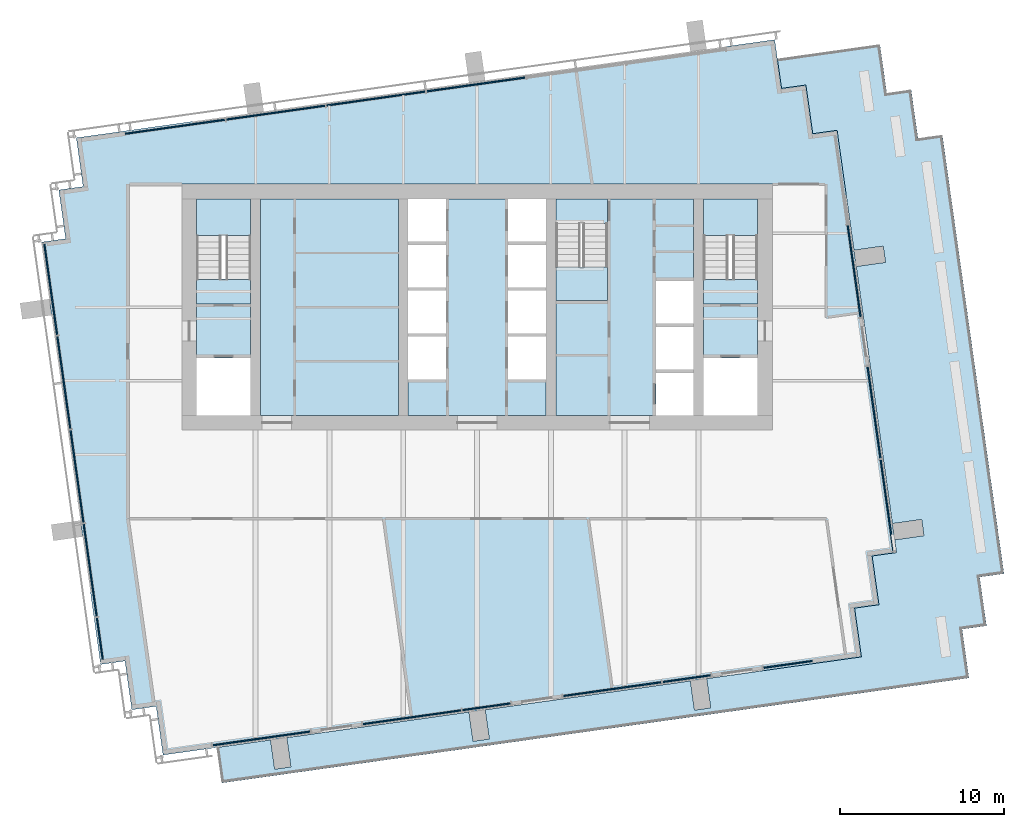
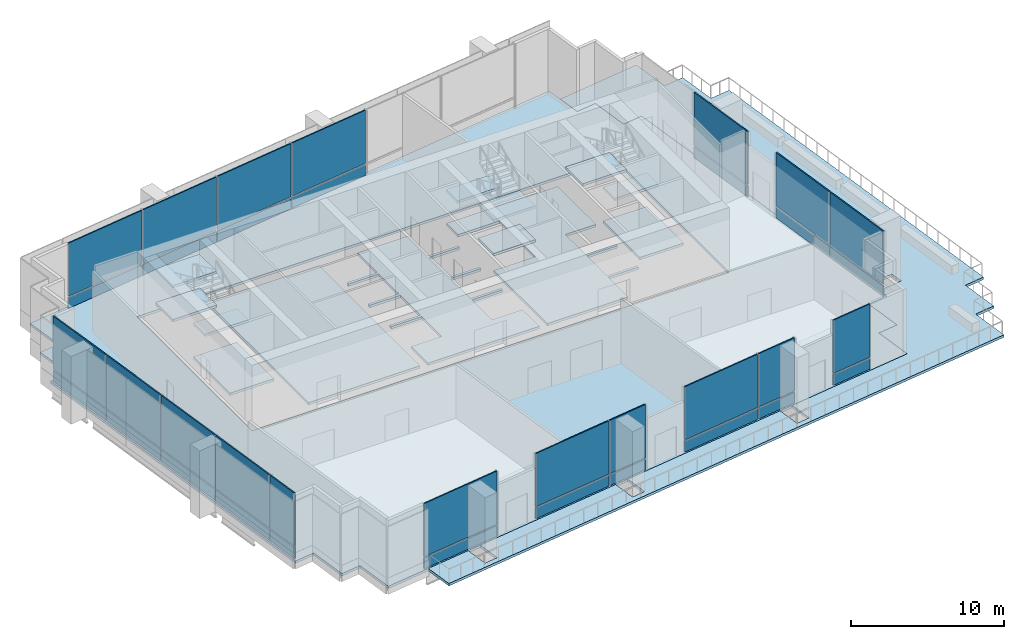
# One storey, part 5 of 14: 36 plates, 15 slabs, 11 elements without a shape of their own.
"""IFC4 building model written with IfcOpenShell, lengths in metres."""

from ifc_helpers import new_model, si_unit, direction, frame, origin, origin_2d, place, context, subcontext, project, spatial, polyline, rectangle, outline, extrude, material, layer, layer_set, type_object, element, aggregate, save


model = new_model("IFC4")

# Units and contexts
model_context = context("Model", 3, precision=1e-05, world=origin(), true_north=direction((0.0, 1.0)))
body_context = subcontext(model_context, "Body", "Model", "MODEL_VIEW")
ifc_project = project(units=[si_unit("LENGTHUNIT", "METRE"), si_unit("AREAUNIT", "SQUARE_METRE"), si_unit("VOLUMEUNIT", "CUBIC_METRE"), si_unit("PLANEANGLEUNIT", "RADIAN"), si_unit("MASSUNIT", "GRAM", prefix="KILO")], contexts=[model_context])

# Site, building, storey
site_placement = place(None, origin())
site = spatial("IfcSite", under=ifc_project, at=site_placement, CompositionType="ELEMENT")
building_placement = place(site_placement, origin())
building = spatial("IfcBuilding", under=site, at=building_placement, Name="Rattan Terrace Tower", CompositionType="ELEMENT")
storey_placement = place(building_placement, frame((0.0, 0.0, 249.699951171875)))
storey = spatial("IfcBuildingStorey", under=building, at=storey_placement, Name="L57", CompositionType="ELEMENT", Elevation=249.699951171875)

# Stair, slabs
ifc_material_1 = material(Name="Concrete C40/50", Category="concrete")
stair_type = type_object("IfcStairType", Name="Core exit stair 1500", PredefinedType="HALF_TURN_STAIR", material=ifc_material_1)
stair_1_placement = place(storey_placement, origin())
stair_1 = element("IfcStair", 1, at=stair_1_placement, inside=storey, type_object=stair_type, Name="L57 exit stair 1", PredefinedType="HALF_TURN_STAIR")
ifc_material_2 = material(Name="Concrete C40/50", Category="concrete")
ifc_layer_1 = layer(ifc_material_2, 0.199951171875)
ifc_layer_set_1 = layer_set([ifc_layer_1], Name="Core exit stair landing")
slab_type_1 = type_object("IfcSlabType", Name="Core exit stair landing", PredefinedType="LANDING", material=ifc_layer_set_1)
slab_1_placement = place(storey_placement, frame((0.0, 0.0, 1.150146484375)))
slab_1 = element("IfcSlab", 2, at=slab_1_placement, type_object=slab_type_1, Name="S1 landing 1", PredefinedType="LANDING", context=body_context, shape_type="SweptSolid", body=[
    extrude(outline(polyline([(-13.800048828125, 4.360107421875), (-13.800048828125, 6.60009765625), (-17.10009765625, 6.60009765625), (-17.10009765625, 4.360107421875), (-13.800048828125, 4.360107421875)])), origin(), (0.0, 0.0, 1.0), 0.199951171875),
])
slab_2_placement = place(storey_placement, frame((0.0, 0.0, 2.5)))
slab_2 = element("IfcSlab", 3, at=slab_2_placement, type_object=slab_type_1, Name="S1 landing 2", PredefinedType="LANDING", context=body_context, shape_type="SweptSolid", body=[
    extrude(outline(polyline([(-13.800048828125, 0.199951171875), (-13.800048828125, 1.699951171875), (-17.10009765625, 1.699951171875), (-17.10009765625, 0.199951171875), (-13.800048828125, 0.199951171875)])), origin(), (0.0, 0.0, 1.0), 0.199951171875),
])
slab_3_placement = place(storey_placement, frame((0.0, 0.0, 3.85009765625)))
slab_3 = element("IfcSlab", 4, at=slab_3_placement, type_object=slab_type_1, Name="S1 landing 3", PredefinedType="LANDING", context=body_context, shape_type="SweptSolid", body=[
    extrude(outline(polyline([(-13.800048828125, 4.360107421875), (-13.800048828125, 6.60009765625), (-17.10009765625, 6.60009765625), (-17.10009765625, 4.360107421875), (-13.800048828125, 4.360107421875)])), origin(), (0.0, 0.0, 1.0), 0.199951171875),
])
aggregate(stair_1, [slab_1, slab_2, slab_3])

stair_2_placement = place(storey_placement, origin())
stair_2 = element("IfcStair", 5, at=stair_2_placement, inside=storey, type_object=stair_type, Name="L57 exit stair 2", PredefinedType="HALF_TURN_STAIR")
slab_4_placement = place(storey_placement, frame((0.0, 0.0, 1.150146484375)))
slab_4 = element("IfcSlab", 6, at=slab_4_placement, type_object=slab_type_1, Name="S2 landing 1", PredefinedType="LANDING", context=body_context, shape_type="SweptSolid", body=[
    extrude(outline(polyline([(17.10009765625, 4.360107421875), (17.10009765625, 6.60009765625), (13.800048828125, 6.60009765625), (13.800048828125, 4.360107421875), (17.10009765625, 4.360107421875)])), origin(), (0.0, 0.0, 1.0), 0.199951171875),
])
slab_5_placement = place(storey_placement, frame((0.0, 0.0, 2.5)))
slab_5 = element("IfcSlab", 7, at=slab_5_placement, type_object=slab_type_1, Name="S2 landing 2", PredefinedType="LANDING", context=body_context, shape_type="SweptSolid", body=[
    extrude(outline(polyline([(17.10009765625, 0.199951171875), (17.10009765625, 1.699951171875), (13.800048828125, 1.699951171875), (13.800048828125, 0.199951171875), (17.10009765625, 0.199951171875)])), origin(), (0.0, 0.0, 1.0), 0.199951171875),
])
aggregate(stair_2, [slab_4, slab_5])

stair_3_placement = place(storey_placement, origin())
stair_3 = element("IfcStair", 8, at=stair_3_placement, inside=storey, type_object=stair_type, Name="L57 exit stair 3", PredefinedType="HALF_TURN_STAIR")
slab_6_placement = place(storey_placement, frame((0.0, 0.0, 1.150146484375)))
slab_6 = element("IfcSlab", 9, at=slab_6_placement, type_object=slab_type_1, Name="S3 landing 1", PredefinedType="LANDING", context=body_context, shape_type="SweptSolid", body=[
    extrude(outline(polyline([(4.800048828125, 2.43994140625), (4.800048828125, 0.39990234375), (7.949951171875, 0.39990234375), (7.949951171875, 2.43994140625), (4.800048828125, 2.43994140625)])), origin(), (0.0, 0.0, 1.0), 0.199951171875),
])
slab_7_placement = place(storey_placement, frame((0.0, 0.0, 2.5)))
slab_7 = element("IfcSlab", 10, at=slab_7_placement, type_object=slab_type_1, Name="S3 landing 2", PredefinedType="LANDING", context=body_context, shape_type="SweptSolid", body=[
    extrude(outline(polyline([(4.800048828125, 6.60009765625), (4.800048828125, 5.10009765625), (7.949951171875, 5.10009765625), (7.949951171875, 6.60009765625), (4.800048828125, 6.60009765625)])), origin(), (0.0, 0.0, 1.0), 0.199951171875),
])
slab_8_placement = place(storey_placement, frame((0.0, 0.0, 3.85009765625)))
slab_8 = element("IfcSlab", 11, at=slab_8_placement, type_object=slab_type_1, Name="S3 landing 3", PredefinedType="LANDING", context=body_context, shape_type="SweptSolid", body=[
    extrude(outline(polyline([(4.800048828125, 2.43994140625), (4.800048828125, 0.39990234375), (7.949951171875, 0.39990234375), (7.949951171875, 2.43994140625), (4.800048828125, 2.43994140625)])), origin(), (0.0, 0.0, 1.0), 0.199951171875),
])
aggregate(stair_3, [slab_6, slab_7, slab_8])

# Slabs
ifc_material_3 = material(Name="Concrete C35/45", Category="concrete")
ifc_layer_2 = layer(ifc_material_3, 0.199951171875)
ifc_layer_set_2 = layer_set([ifc_layer_2], Name="Frame refuge floor slab 200")
slab_type_2 = type_object("IfcSlabType", Name="Frame refuge floor slab 200", PredefinedType="FLOOR", material=ifc_layer_set_2)
slab_9_placement = place(storey_placement, frame((0.0, 0.0, -0.199951171875)))
element("IfcSlab", 12, at=slab_9_placement, inside=storey, type_object=slab_type_2, Name="Floor slab", PredefinedType="FLOOR", context=body_context, shape_type="SweptSolid", body=[
    extrude(outline(polyline([(-16.176025390625, -26.889892578125), (20.464111328125, -21.739990234375), (23.43505859375, -21.322998046875), (23.01806640625, -18.35205078125), (24.5029296875, -18.14306640625), (24.0849609375, -15.173095703125), (25.571044921875, -14.964111328125), (21.951904296875, 10.782958984375), (20.467041015625, 10.573974609375), (20.049072265625, 13.544921875), (18.56396484375, 13.3369140625), (18.14599609375, 16.306884765625), (15.176025390625, 15.889892578125), (-21.464111328125, 10.739990234375), (-24.43505859375, 10.322998046875), (-24.01806640625, 7.35205078125), (-25.5029296875, 7.14306640625), (-25.0849609375, 4.173095703125), (-26.571044921875, 3.964111328125), (-22.951904296875, -21.782958984375), (-21.467041015625, -21.573974609375), (-21.049072265625, -24.544921875), (-19.56396484375, -24.3369140625), (-19.14599609375, -27.306884765625), (-16.176025390625, -26.889892578125)]), holes=[polyline([(-18.0, -7.5), (18.0, -7.5), (18.0, -6.60009765625), (18.0, 6.60009765625), (18.0, 7.5), (-18.0, 7.5), (-18.0, 6.60009765625), (-18.0, -6.60009765625), (-18.0, -7.5)])]), origin(), (0.0, 0.0, 1.0), 0.199951171875),
])
slab_10_placement = place(storey_placement, frame((0.0, 0.0, -0.199951171875)))
element("IfcSlab", 13, at=slab_10_placement, inside=storey, type_object=slab_type_2, Name="Floor slab", PredefinedType="FLOOR", context=body_context, shape_type="SweptSolid", body=[
    extrude(outline(polyline([(13.199951171875, 6.60009765625), (4.800048828125, 6.60009765625), (4.800048828125, 5.090087890625), (7.949951171875, 5.090087890625), (7.949951171875, 0.39990234375), (4.800048828125, 0.39990234375), (4.800048828125, -6.60009765625), (10.89990234375, -6.60009765625), (10.89990234375, -4.0), (13.199951171875, -4.0), (13.199951171875, -3.800048828125), (10.89990234375, -3.800048828125), (10.89990234375, -1.199951171875), (13.199951171875, -1.199951171875), (13.199951171875, -1.0), (10.89990234375, -1.0), (10.89990234375, 1.60009765625), (13.199951171875, 1.60009765625), (13.199951171875, 6.60009765625)])), origin(), (0.0, 0.0, 1.0), 0.199951171875),
])
slab_11_placement = place(storey_placement, frame((0.0, 0.0, -0.199951171875)))
element("IfcSlab", 14, at=slab_11_placement, inside=storey, type_object=slab_type_2, Name="Floor slab", PredefinedType="FLOOR", context=body_context, shape_type="SweptSolid", body=[
    extrude(outline(polyline([(1.89990234375, 6.60009765625), (-1.89990234375, 6.60009765625), (-1.89990234375, 4.0), (-4.199951171875, 4.0), (-4.199951171875, 3.800048828125), (-1.89990234375, 3.800048828125), (-1.89990234375, 1.199951171875), (-4.199951171875, 1.199951171875), (-4.199951171875, 1.0), (-1.89990234375, 1.0), (-1.89990234375, -1.60009765625), (-4.199951171875, -1.60009765625), (-4.199951171875, -1.800048828125), (-1.89990234375, -1.800048828125), (-1.89990234375, -4.39990234375), (-4.199951171875, -4.39990234375), (-4.199951171875, -6.60009765625), (4.199951171875, -6.60009765625), (4.199951171875, -4.39990234375), (1.89990234375, -4.39990234375), (1.89990234375, -1.800048828125), (4.199951171875, -1.800048828125), (4.199951171875, -1.60009765625), (1.89990234375, -1.60009765625), (1.89990234375, 1.0), (4.199951171875, 1.0), (4.199951171875, 1.199951171875), (1.89990234375, 1.199951171875), (1.89990234375, 3.800048828125), (4.199951171875, 3.800048828125), (4.199951171875, 4.0), (1.89990234375, 4.0), (1.89990234375, 6.60009765625)])), origin(), (0.0, 0.0, 1.0), 0.199951171875),
])
slab_12_placement = place(storey_placement, frame((0.0, 0.0, -0.199951171875)))
element("IfcSlab", 15, at=slab_12_placement, inside=storey, type_object=slab_type_2, Name="Floor slab", PredefinedType="FLOOR", context=body_context, shape_type="SweptSolid", body=[
    extrude(outline(polyline([(-17.10009765625, -3.10009765625), (-13.800048828125, -3.10009765625), (-13.800048828125, 1.7099609375), (-17.10009765625, 1.7099609375), (-17.10009765625, -3.10009765625)])), origin(), (0.0, 0.0, 1.0), 0.199951171875),
])
slab_13_placement = place(storey_placement, frame((0.0, 0.0, -0.199951171875)))
element("IfcSlab", 16, at=slab_13_placement, inside=storey, type_object=slab_type_2, Name="Floor slab", PredefinedType="FLOOR", context=body_context, shape_type="SweptSolid", body=[
    extrude(outline(polyline([(-4.800048828125, -6.60009765625), (-4.800048828125, 6.60009765625), (-13.199951171875, 6.60009765625), (-13.199951171875, -6.60009765625), (-4.800048828125, -6.60009765625)])), origin(), (0.0, 0.0, 1.0), 0.199951171875),
])
slab_14_placement = place(storey_placement, frame((0.0, 0.0, -0.199951171875)))
element("IfcSlab", 17, at=slab_14_placement, inside=storey, type_object=slab_type_2, Name="Floor slab", PredefinedType="FLOOR", context=body_context, shape_type="SweptSolid", body=[
    extrude(outline(polyline([(13.800048828125, -3.10009765625), (17.10009765625, -3.10009765625), (17.10009765625, 1.7099609375), (13.800048828125, 1.7099609375), (13.800048828125, -3.10009765625)])), origin(), (0.0, 0.0, 1.0), 0.199951171875),
])
ifc_material_4 = material(Name="Concrete C35/45", Category="concrete")
ifc_layer_3 = layer(ifc_material_4, 0.199951171875)
ifc_layer_set_3 = layer_set([ifc_layer_3], Name="Frame terrace slab 200")
slab_type_3 = type_object("IfcSlabType", Name="Frame terrace slab 200", PredefinedType="ROOF", material=ifc_layer_set_3)
slab_15_placement = place(storey_placement, frame((0.0, 0.0, -0.199951171875)))
element("IfcSlab", 18, at=slab_15_placement, inside=storey, type_object=slab_type_3, Name="Terrace slab", PredefinedType="ROOF", context=body_context, shape_type="SweptSolid", body=[
    extrude(outline(polyline([(20.464111328125, -21.739990234375), (13.994873046875, -22.6494140625), (14.245361328125, -24.431640625), (13.255126953125, -24.57080078125), (13.004638671875, -22.78857421875), (-15.866943359375, -26.846923828125), (-15.56201171875, -29.010986328125), (-12.591064453125, -28.593994140625), (27.01904296875, -23.027099609375), (29.989990234375, -22.60888671875), (29.572998046875, -19.637939453125), (31.05810546875, -19.429931640625), (30.639892578125, -16.458984375), (32.1259765625, -16.25), (28.367919921875, 10.487060546875), (26.883056640625, 10.278076171875), (26.465087890625, 13.2490234375), (24.97998046875, 13.0400390625), (24.56201171875, 16.010986328125), (21.591064453125, 15.593994140625), (18.31103515625, 15.133056640625), (18.56396484375, 13.3369140625), (20.049072265625, 13.544921875), (20.467041015625, 10.573974609375), (21.951904296875, 10.782958984375), (25.571044921875, -14.964111328125), (24.0849609375, -15.173095703125), (24.5029296875, -18.14306640625), (23.01806640625, -18.35205078125), (23.43505859375, -21.322998046875), (20.464111328125, -21.739990234375)]), holes=[polyline([(-11.60107421875, -26.248291015625), (-12.59130859375, -26.387451171875), (-12.3408203125, -28.169921875), (-11.3505859375, -28.030517578125), (-11.60107421875, -26.248291015625)]), polyline([(0.494873046875, -24.547119140625), (-0.495361328125, -24.686279296875), (-0.244873046875, -26.46875), (0.745361328125, -26.32958984375), (0.494873046875, -24.547119140625)]), polyline([(27.105712890625, -12.944580078125), (25.3232421875, -13.195068359375), (25.46240234375, -14.185302734375), (27.244873046875, -13.934814453125), (27.105712890625, -12.944580078125)]), polyline([(22.980224609375, 3.469970703125), (23.119384765625, 2.4794921875), (24.90185546875, 2.72998046875), (24.7626953125, 3.720458984375), (22.980224609375, 3.469970703125)])]), origin(), (0.0, 0.0, 1.0), 0.199951171875),
])

# Curtain wall, plates
ifc_material_5 = material(Name="Steel fins, aluminium and glass", Category="steel")
ifc_layer_4 = layer(ifc_material_5, 0.300048828125)
ifc_layer_set_4 = layer_set([ifc_layer_4], Name="Sky Lobby Stick Curtain Wall")
curtain_wall_type = type_object("IfcCurtainWallType", Name="Sky Lobby Stick Curtain Wall", PredefinedType="NOTDEFINED", material=ifc_layer_set_4)
curtain_wall_1_placement = place(storey_placement, origin())
curtain_wall_1 = element("IfcCurtainWall", 19, at=curtain_wall_1_placement, inside=storey, type_object=curtain_wall_type, Name="Sky lobby curtain wall L57-1", PredefinedType="NOTDEFINED")
ifc_material_6 = material(Name="Insulated aluminium spandrel panel", Category="aluminium")
ifc_layer_5 = layer(ifc_material_6, 0.10009765625)
ifc_layer_set_5 = layer_set([ifc_layer_5], Name="Sky Lobby CW Insulated Panel")
plate_type_1 = type_object("IfcPlateType", Name="Sky Lobby CW Insulated Panel", PredefinedType="CURTAIN_PANEL", material=ifc_layer_set_5)
plate_1_placement = place(storey_placement, frame((24.99462890625, -12.084716796875, 0.0), z_axis=(0.0, 0.0, 1.0), x_axis=(-0.139191775431, 0.990265444036, 0.0)))
plate_1 = element("IfcPlate", 20, at=plate_1_placement, type_object=plate_type_1, Name="Panel cwl-L57-001.1.1", PredefinedType="CURTAIN_PANEL", context=body_context, shape_type="SweptSolid", body=[
    extrude(rectangle(XDim=5.613037109375, YDim=0.10009765625, at=origin_2d()), origin(), (0.0, 0.0, 1.0), 0.840087890625),
])
plate_2_placement = place(storey_placement, frame((24.198974609375, -6.4248046875, 0.0), z_axis=(0.0, 0.0, 1.0), x_axis=(-0.139191775431, 0.990265444036, 0.0)))
plate_2 = element("IfcPlate", 21, at=plate_2_placement, type_object=plate_type_1, Name="Panel cwl-L57-001.2.1", PredefinedType="CURTAIN_PANEL", context=body_context, shape_type="SweptSolid", body=[
    extrude(rectangle(XDim=5.657958984375, YDim=0.10009765625, at=origin_2d()), origin(), (0.0, 0.0, 1.0), 0.840087890625),
])

# Curtain wall, plate
curtain_wall_2_placement = place(storey_placement, origin())
curtain_wall_2 = element("IfcCurtainWall", 22, at=curtain_wall_2_placement, inside=storey, type_object=curtain_wall_type, Name="Sky lobby curtain wall L57-2", PredefinedType="NOTDEFINED")
plate_3_placement = place(storey_placement, frame((22.987060546875, 2.197509765625, 0.0), z_axis=(0.0, 0.0, 1.0), x_axis=(-0.139191775431, 0.990265444036, 0.0)))
plate_3 = element("IfcPlate", 23, at=plate_3_placement, type_object=plate_type_1, Name="Panel cwl-L57-002.1.1", PredefinedType="CURTAIN_PANEL", context=body_context, shape_type="SweptSolid", body=[
    extrude(rectangle(XDim=5.657958984375, YDim=0.10009765625, at=origin_2d()), origin(), (0.0, 0.0, 1.0), 0.840087890625),
])

# Curtain wall, plates
curtain_wall_3_placement = place(storey_placement, origin())
curtain_wall_3 = element("IfcCurtainWall", 24, at=curtain_wall_3_placement, inside=storey, type_object=curtain_wall_type, Name="Sky lobby curtain wall L57-3", PredefinedType="NOTDEFINED")
plate_4_placement = place(storey_placement, frame((-0.065185546875, 13.576171875, 0.0), z_axis=(0.0, 0.0, 1.0), x_axis=(-0.990265894013, -0.139188574079, 0.0)))
plate_4 = element("IfcPlate", 25, at=plate_4_placement, type_object=plate_type_1, Name="Panel cwl-L57-003.3.1", PredefinedType="CURTAIN_PANEL", context=body_context, shape_type="SweptSolid", body=[
    extrude(rectangle(XDim=6.0859375, YDim=0.10009765625, at=origin_2d()), origin(), (0.0, 0.0, 1.0), 0.840087890625),
])
plate_5_placement = place(storey_placement, frame((-6.17138671875, 12.7177734375, 0.0), z_axis=(0.0, 0.0, 1.0), x_axis=(-0.990265894013, -0.139188574079, 0.0)))
plate_5 = element("IfcPlate", 26, at=plate_5_placement, type_object=plate_type_1, Name="Panel cwl-L57-003.4.1", PredefinedType="CURTAIN_PANEL", context=body_context, shape_type="SweptSolid", body=[
    extrude(rectangle(XDim=6.0859375, YDim=0.10009765625, at=origin_2d()), origin(), (0.0, 0.0, 1.0), 0.840087890625),
])
plate_6_placement = place(storey_placement, frame((-12.27734375, 11.859619140625, 0.0), z_axis=(0.0, 0.0, 1.0), x_axis=(-0.990265894013, -0.139188574079, 0.0)))
plate_6 = element("IfcPlate", 27, at=plate_6_placement, type_object=plate_type_1, Name="Panel cwl-L57-003.5.1", PredefinedType="CURTAIN_PANEL", context=body_context, shape_type="SweptSolid", body=[
    extrude(rectangle(XDim=6.0859375, YDim=0.10009765625, at=origin_2d()), origin(), (0.0, 0.0, 1.0), 0.840087890625),
])
plate_7_placement = place(storey_placement, frame((-18.405029296875, 10.998291015625, 0.0), z_axis=(0.0, 0.0, 1.0), x_axis=(-0.990265894013, -0.139188574079, 0.0)))
plate_7 = element("IfcPlate", 28, at=plate_7_placement, type_object=plate_type_1, Name="Panel cwl-L57-003.6.1", PredefinedType="CURTAIN_PANEL", context=body_context, shape_type="SweptSolid", body=[
    extrude(rectangle(XDim=6.130126953125, YDim=0.10009765625, at=origin_2d()), origin(), (0.0, 0.0, 1.0), 0.840087890625),
])

curtain_wall_4_placement = place(storey_placement, origin())
curtain_wall_4 = element("IfcCurtainWall", 29, at=curtain_wall_4_placement, inside=storey, type_object=curtain_wall_type, Name="Sky lobby curtain wall L57-4", PredefinedType="NOTDEFINED")
plate_8_placement = place(storey_placement, frame((-25.99462890625, 1.084716796875, 0.0), z_axis=(0.0, 0.0, 1.0), x_axis=(0.139191775431, -0.990265444036, 0.0)))
plate_8 = element("IfcPlate", 30, at=plate_8_placement, type_object=plate_type_1, Name="Panel cwl-L57-004.1.1", PredefinedType="CURTAIN_PANEL", context=body_context, shape_type="SweptSolid", body=[
    extrude(rectangle(XDim=5.613037109375, YDim=0.10009765625, at=origin_2d()), origin(), (0.0, 0.0, 1.0), 0.840087890625),
])
plate_9_placement = place(storey_placement, frame((-25.1962890625, -4.594970703125, 0.0), z_axis=(0.0, 0.0, 1.0), x_axis=(0.139191775431, -0.990265444036, 0.0)))
plate_9 = element("IfcPlate", 31, at=plate_9_placement, type_object=plate_type_1, Name="Panel cwl-L57-004.2.1", PredefinedType="CURTAIN_PANEL", context=body_context, shape_type="SweptSolid", body=[
    extrude(rectangle(XDim=5.697998046875, YDim=0.10009765625, at=origin_2d()), origin(), (0.0, 0.0, 1.0), 0.840087890625),
])
plate_10_placement = place(storey_placement, frame((-24.39208984375, -10.316650390625, 0.0), z_axis=(0.0, 0.0, 1.0), x_axis=(0.139191775431, -0.990265444036, 0.0)))
plate_10 = element("IfcPlate", 32, at=plate_10_placement, type_object=plate_type_1, Name="Panel cwl-L57-004.3.1", PredefinedType="CURTAIN_PANEL", context=body_context, shape_type="SweptSolid", body=[
    extrude(rectangle(XDim=5.697998046875, YDim=0.10009765625, at=origin_2d()), origin(), (0.0, 0.0, 1.0), 0.840087890625),
])
plate_11_placement = place(storey_placement, frame((-23.587890625, -16.03857421875, 0.0), z_axis=(0.0, 0.0, 1.0), x_axis=(0.139191775431, -0.990265444036, 0.0)))
plate_11 = element("IfcPlate", 33, at=plate_11_placement, type_object=plate_type_1, Name="Panel cwl-L57-004.4.1", PredefinedType="CURTAIN_PANEL", context=body_context, shape_type="SweptSolid", body=[
    extrude(rectangle(XDim=5.697998046875, YDim=0.10009765625, at=origin_2d()), origin(), (0.0, 0.0, 1.0), 0.840087890625),
])
plate_12_placement = place(storey_placement, frame((-23.00244140625, -20.203125, 0.0), z_axis=(0.0, 0.0, 1.0), x_axis=(0.139191775431, -0.990265444036, 0.0)))
plate_12 = element("IfcPlate", 34, at=plate_12_placement, type_object=plate_type_1, Name="Panel cwl-L57-004.5.1", PredefinedType="CURTAIN_PANEL", context=body_context, shape_type="SweptSolid", body=[
    extrude(rectangle(XDim=2.552978515625, YDim=0.10009765625, at=origin_2d()), origin(), (0.0, 0.0, 1.0), 0.840087890625),
])

# Curtain wall, plate
curtain_wall_5_placement = place(storey_placement, origin())
curtain_wall_5 = element("IfcCurtainWall", 35, at=curtain_wall_5_placement, inside=storey, type_object=curtain_wall_type, Name="Sky lobby curtain wall L57-5", PredefinedType="NOTDEFINED")
plate_13_placement = place(storey_placement, frame((-13.146728515625, -26.29248046875, 0.0), z_axis=(0.0, 0.0, 1.0), x_axis=(0.990265894013, 0.139188574079, 0.0)))
plate_13 = element("IfcPlate", 36, at=plate_13_placement, type_object=plate_type_1, Name="Panel cwl-L57-005.1.1", PredefinedType="CURTAIN_PANEL", context=body_context, shape_type="SweptSolid", body=[
    extrude(rectangle(XDim=6.006103515625, YDim=0.10009765625, at=origin_2d()), origin(), (0.0, 0.0, 1.0), 0.840087890625),
])

# Curtain wall, plates
curtain_wall_6_placement = place(storey_placement, origin())
curtain_wall_6 = element("IfcCurtainWall", 37, at=curtain_wall_6_placement, inside=storey, type_object=curtain_wall_type, Name="Sky lobby curtain wall L57-6", PredefinedType="NOTDEFINED")
plate_14_placement = place(storey_placement, frame((-3.968017578125, -25.00244140625, 0.0), z_axis=(0.0, 0.0, 1.0), x_axis=(0.990265894013, 0.139188574079, 0.0)))
plate_14 = element("IfcPlate", 38, at=plate_14_placement, type_object=plate_type_1, Name="Panel cwl-L57-006.1.1", PredefinedType="CURTAIN_PANEL", context=body_context, shape_type="SweptSolid", body=[
    extrude(rectangle(XDim=6.0458984375, YDim=0.10009765625, at=origin_2d()), origin(), (0.0, 0.0, 1.0), 0.840087890625),
])
plate_15_placement = place(storey_placement, frame((0.572021484375, -24.3642578125, 0.0), z_axis=(0.0, 0.0, 1.0), x_axis=(0.990265894013, 0.139188574079, 0.0)))
plate_15 = element("IfcPlate", 39, at=plate_15_placement, type_object=plate_type_1, Name="Panel cwl-L57-006.2.1", PredefinedType="CURTAIN_PANEL", context=body_context, shape_type="SweptSolid", body=[
    extrude(rectangle(XDim=2.962890625, YDim=0.10009765625, at=origin_2d()), origin(), (0.0, 0.0, 1.0), 0.840087890625),
])

curtain_wall_7_placement = place(storey_placement, origin())
curtain_wall_7 = element("IfcCurtainWall", 40, at=curtain_wall_7_placement, inside=storey, type_object=curtain_wall_type, Name="Sky lobby curtain wall L57-7", PredefinedType="NOTDEFINED")
plate_16_placement = place(storey_placement, frame((8.244140625, -23.285888671875, 0.0), z_axis=(0.0, 0.0, 1.0), x_axis=(0.990265894013, 0.139188574079, 0.0)))
plate_16 = element("IfcPlate", 41, at=plate_16_placement, type_object=plate_type_1, Name="Panel cwl-L57-007.1.1", PredefinedType="CURTAIN_PANEL", context=body_context, shape_type="SweptSolid", body=[
    extrude(rectangle(XDim=6.0458984375, YDim=0.10009765625, at=origin_2d()), origin(), (0.0, 0.0, 1.0), 0.840087890625),
])
plate_17_placement = place(storey_placement, frame((12.783935546875, -22.647705078125, 0.0), z_axis=(0.0, 0.0, 1.0), x_axis=(0.990265894013, 0.139188574079, 0.0)))
plate_17 = element("IfcPlate", 42, at=plate_17_placement, type_object=plate_type_1, Name="Panel cwl-L57-007.2.1", PredefinedType="CURTAIN_PANEL", context=body_context, shape_type="SweptSolid", body=[
    extrude(rectangle(XDim=2.962890625, YDim=0.10009765625, at=origin_2d()), origin(), (0.0, 0.0, 1.0), 0.840087890625),
])

# Curtain wall, plate
curtain_wall_8_placement = place(storey_placement, origin())
curtain_wall_8 = element("IfcCurtainWall", 43, at=curtain_wall_8_placement, inside=storey, type_object=curtain_wall_type, Name="Sky lobby curtain wall L57-8", PredefinedType="NOTDEFINED")
plate_18_placement = place(storey_placement, frame((18.951416015625, -21.781005859375, 0.0), z_axis=(0.0, 0.0, 1.0), x_axis=(0.990265894013, 0.139188574079, 0.0)))
plate_18 = element("IfcPlate", 44, at=plate_18_placement, type_object=plate_type_1, Name="Panel cwl-L57-008.1.1", PredefinedType="CURTAIN_PANEL", context=body_context, shape_type="SweptSolid", body=[
    extrude(rectangle(XDim=3.007080078125, YDim=0.10009765625, at=origin_2d()), origin(), (0.0, 0.0, 1.0), 0.840087890625),
])

# Plate
ifc_material_7 = material(Name="Laminated low-iron glass", Category="glass")
ifc_layer_6 = layer(ifc_material_7, 0.090087890625)
ifc_layer_set_6 = layer_set([ifc_layer_6], Name="Sky Lobby CW Vision Panel")
plate_type_2 = type_object("IfcPlateType", Name="Sky Lobby CW Vision Panel", PredefinedType="CURTAIN_PANEL", material=ifc_layer_set_6)
plate_19_placement = place(storey_placement, frame((24.99462890625, -12.084716796875, 0.9599609375), z_axis=(0.0, 0.0, 1.0), x_axis=(-0.139191775431, 0.990265444036, 0.0)))
plate_19 = element("IfcPlate", 45, at=plate_19_placement, type_object=plate_type_2, Name="Panel cwl-L57-001.1.2", PredefinedType="CURTAIN_PANEL", context=body_context, shape_type="SweptSolid", body=[
    extrude(rectangle(XDim=5.613037109375, YDim=0.090087890625, at=origin_2d()), origin(), (0.0, 0.0, 1.0), 4.239990234375),
])

plate_20_placement = place(storey_placement, frame((24.198974609375, -6.4248046875, 0.9599609375), z_axis=(0.0, 0.0, 1.0), x_axis=(-0.139191775431, 0.990265444036, 0.0)))
plate_20 = element("IfcPlate", 46, at=plate_20_placement, type_object=plate_type_2, Name="Panel cwl-L57-001.2.2", PredefinedType="CURTAIN_PANEL", context=body_context, shape_type="SweptSolid", body=[
    extrude(rectangle(XDim=5.657958984375, YDim=0.090087890625, at=origin_2d()), origin(), (0.0, 0.0, 1.0), 4.239990234375),
])

aggregate(curtain_wall_1, [plate_1, plate_19, plate_2, plate_20])

plate_21_placement = place(storey_placement, frame((22.987060546875, 2.197509765625, 0.9599609375), z_axis=(0.0, 0.0, 1.0), x_axis=(-0.139191775431, 0.990265444036, 0.0)))
plate_21 = element("IfcPlate", 47, at=plate_21_placement, type_object=plate_type_2, Name="Panel cwl-L57-002.1.2", PredefinedType="CURTAIN_PANEL", context=body_context, shape_type="SweptSolid", body=[
    extrude(rectangle(XDim=5.657958984375, YDim=0.090087890625, at=origin_2d()), origin(), (0.0, 0.0, 1.0), 4.239990234375),
])

aggregate(curtain_wall_2, [plate_3, plate_21])

plate_22_placement = place(storey_placement, frame((-0.065185546875, 13.576171875, 0.9599609375), z_axis=(0.0, 0.0, 1.0), x_axis=(-0.990265894013, -0.139188574079, 0.0)))
plate_22 = element("IfcPlate", 48, at=plate_22_placement, type_object=plate_type_2, Name="Panel cwl-L57-003.3.2", PredefinedType="CURTAIN_PANEL", context=body_context, shape_type="SweptSolid", body=[
    extrude(rectangle(XDim=6.0859375, YDim=0.090087890625, at=origin_2d()), origin(), (0.0, 0.0, 1.0), 4.239990234375),
])

plate_23_placement = place(storey_placement, frame((-6.17138671875, 12.7177734375, 0.9599609375), z_axis=(0.0, 0.0, 1.0), x_axis=(-0.990265894013, -0.139188574079, 0.0)))
plate_23 = element("IfcPlate", 49, at=plate_23_placement, type_object=plate_type_2, Name="Panel cwl-L57-003.4.2", PredefinedType="CURTAIN_PANEL", context=body_context, shape_type="SweptSolid", body=[
    extrude(rectangle(XDim=6.0859375, YDim=0.090087890625, at=origin_2d()), origin(), (0.0, 0.0, 1.0), 4.239990234375),
])

plate_24_placement = place(storey_placement, frame((-12.27734375, 11.859619140625, 0.9599609375), z_axis=(0.0, 0.0, 1.0), x_axis=(-0.990265894013, -0.139188574079, 0.0)))
plate_24 = element("IfcPlate", 50, at=plate_24_placement, type_object=plate_type_2, Name="Panel cwl-L57-003.5.2", PredefinedType="CURTAIN_PANEL", context=body_context, shape_type="SweptSolid", body=[
    extrude(rectangle(XDim=6.0859375, YDim=0.090087890625, at=origin_2d()), origin(), (0.0, 0.0, 1.0), 4.239990234375),
])

plate_25_placement = place(storey_placement, frame((-18.405029296875, 10.998291015625, 0.9599609375), z_axis=(0.0, 0.0, 1.0), x_axis=(-0.990265894013, -0.139188574079, 0.0)))
plate_25 = element("IfcPlate", 51, at=plate_25_placement, type_object=plate_type_2, Name="Panel cwl-L57-003.6.2", PredefinedType="CURTAIN_PANEL", context=body_context, shape_type="SweptSolid", body=[
    extrude(rectangle(XDim=6.130126953125, YDim=0.090087890625, at=origin_2d()), origin(), (0.0, 0.0, 1.0), 4.239990234375),
])

aggregate(curtain_wall_3, [plate_4, plate_22, plate_5, plate_23, plate_6, plate_24, plate_7, plate_25])

plate_26_placement = place(storey_placement, frame((-25.99462890625, 1.084716796875, 0.9599609375), z_axis=(0.0, 0.0, 1.0), x_axis=(0.139191775431, -0.990265444036, 0.0)))
plate_26 = element("IfcPlate", 52, at=plate_26_placement, type_object=plate_type_2, Name="Panel cwl-L57-004.1.2", PredefinedType="CURTAIN_PANEL", context=body_context, shape_type="SweptSolid", body=[
    extrude(rectangle(XDim=5.613037109375, YDim=0.090087890625, at=origin_2d()), origin(), (0.0, 0.0, 1.0), 4.239990234375),
])

plate_27_placement = place(storey_placement, frame((-25.1962890625, -4.594970703125, 0.9599609375), z_axis=(0.0, 0.0, 1.0), x_axis=(0.139191775431, -0.990265444036, 0.0)))
plate_27 = element("IfcPlate", 53, at=plate_27_placement, type_object=plate_type_2, Name="Panel cwl-L57-004.2.2", PredefinedType="CURTAIN_PANEL", context=body_context, shape_type="SweptSolid", body=[
    extrude(rectangle(XDim=5.697998046875, YDim=0.090087890625, at=origin_2d()), origin(), (0.0, 0.0, 1.0), 4.239990234375),
])

plate_28_placement = place(storey_placement, frame((-24.39208984375, -10.316650390625, 0.9599609375), z_axis=(0.0, 0.0, 1.0), x_axis=(0.139191775431, -0.990265444036, 0.0)))
plate_28 = element("IfcPlate", 54, at=plate_28_placement, type_object=plate_type_2, Name="Panel cwl-L57-004.3.2", PredefinedType="CURTAIN_PANEL", context=body_context, shape_type="SweptSolid", body=[
    extrude(rectangle(XDim=5.697998046875, YDim=0.090087890625, at=origin_2d()), origin(), (0.0, 0.0, 1.0), 4.239990234375),
])

plate_29_placement = place(storey_placement, frame((-23.587890625, -16.03857421875, 0.9599609375), z_axis=(0.0, 0.0, 1.0), x_axis=(0.139191775431, -0.990265444036, 0.0)))
plate_29 = element("IfcPlate", 55, at=plate_29_placement, type_object=plate_type_2, Name="Panel cwl-L57-004.4.2", PredefinedType="CURTAIN_PANEL", context=body_context, shape_type="SweptSolid", body=[
    extrude(rectangle(XDim=5.697998046875, YDim=0.090087890625, at=origin_2d()), origin(), (0.0, 0.0, 1.0), 4.239990234375),
])

plate_30_placement = place(storey_placement, frame((-23.00244140625, -20.203125, 0.9599609375), z_axis=(0.0, 0.0, 1.0), x_axis=(0.139191775431, -0.990265444036, 0.0)))
plate_30 = element("IfcPlate", 56, at=plate_30_placement, type_object=plate_type_2, Name="Panel cwl-L57-004.5.2", PredefinedType="CURTAIN_PANEL", context=body_context, shape_type="SweptSolid", body=[
    extrude(rectangle(XDim=2.552978515625, YDim=0.090087890625, at=origin_2d()), origin(), (0.0, 0.0, 1.0), 4.239990234375),
])

aggregate(curtain_wall_4, [plate_8, plate_26, plate_9, plate_27, plate_10, plate_28, plate_11, plate_29, plate_12, plate_30])

plate_31_placement = place(storey_placement, frame((-13.146728515625, -26.29248046875, 0.9599609375), z_axis=(0.0, 0.0, 1.0), x_axis=(0.990265894013, 0.139188574079, 0.0)))
plate_31 = element("IfcPlate", 57, at=plate_31_placement, type_object=plate_type_2, Name="Panel cwl-L57-005.1.2", PredefinedType="CURTAIN_PANEL", context=body_context, shape_type="SweptSolid", body=[
    extrude(rectangle(XDim=6.006103515625, YDim=0.090087890625, at=origin_2d()), origin(), (0.0, 0.0, 1.0), 4.239990234375),
])

aggregate(curtain_wall_5, [plate_13, plate_31])

plate_32_placement = place(storey_placement, frame((-3.968017578125, -25.00244140625, 0.9599609375), z_axis=(0.0, 0.0, 1.0), x_axis=(0.990265894013, 0.139188574079, 0.0)))
plate_32 = element("IfcPlate", 58, at=plate_32_placement, type_object=plate_type_2, Name="Panel cwl-L57-006.1.2", PredefinedType="CURTAIN_PANEL", context=body_context, shape_type="SweptSolid", body=[
    extrude(rectangle(XDim=6.0458984375, YDim=0.090087890625, at=origin_2d()), origin(), (0.0, 0.0, 1.0), 4.239990234375),
])

plate_33_placement = place(storey_placement, frame((0.572021484375, -24.3642578125, 0.9599609375), z_axis=(0.0, 0.0, 1.0), x_axis=(0.990265894013, 0.139188574079, 0.0)))
plate_33 = element("IfcPlate", 59, at=plate_33_placement, type_object=plate_type_2, Name="Panel cwl-L57-006.2.2", PredefinedType="CURTAIN_PANEL", context=body_context, shape_type="SweptSolid", body=[
    extrude(rectangle(XDim=2.962890625, YDim=0.090087890625, at=origin_2d()), origin(), (0.0, 0.0, 1.0), 4.239990234375),
])

aggregate(curtain_wall_6, [plate_14, plate_32, plate_15, plate_33])

plate_34_placement = place(storey_placement, frame((8.244140625, -23.285888671875, 0.9599609375), z_axis=(0.0, 0.0, 1.0), x_axis=(0.990265894013, 0.139188574079, 0.0)))
plate_34 = element("IfcPlate", 60, at=plate_34_placement, type_object=plate_type_2, Name="Panel cwl-L57-007.1.2", PredefinedType="CURTAIN_PANEL", context=body_context, shape_type="SweptSolid", body=[
    extrude(rectangle(XDim=6.0458984375, YDim=0.090087890625, at=origin_2d()), origin(), (0.0, 0.0, 1.0), 4.239990234375),
])

plate_35_placement = place(storey_placement, frame((12.783935546875, -22.647705078125, 0.9599609375), z_axis=(0.0, 0.0, 1.0), x_axis=(0.990265894013, 0.139188574079, 0.0)))
plate_35 = element("IfcPlate", 61, at=plate_35_placement, type_object=plate_type_2, Name="Panel cwl-L57-007.2.2", PredefinedType="CURTAIN_PANEL", context=body_context, shape_type="SweptSolid", body=[
    extrude(rectangle(XDim=2.962890625, YDim=0.090087890625, at=origin_2d()), origin(), (0.0, 0.0, 1.0), 4.239990234375),
])

aggregate(curtain_wall_7, [plate_16, plate_34, plate_17, plate_35])

plate_36_placement = place(storey_placement, frame((18.951416015625, -21.781005859375, 0.9599609375), z_axis=(0.0, 0.0, 1.0), x_axis=(0.990265894013, 0.139188574079, 0.0)))
plate_36 = element("IfcPlate", 62, at=plate_36_placement, type_object=plate_type_2, Name="Panel cwl-L57-008.1.2", PredefinedType="CURTAIN_PANEL", context=body_context, shape_type="SweptSolid", body=[
    extrude(rectangle(XDim=3.007080078125, YDim=0.090087890625, at=origin_2d()), origin(), (0.0, 0.0, 1.0), 4.239990234375),
])

aggregate(curtain_wall_8, [plate_18, plate_36])

save(model, "model.ifc")
